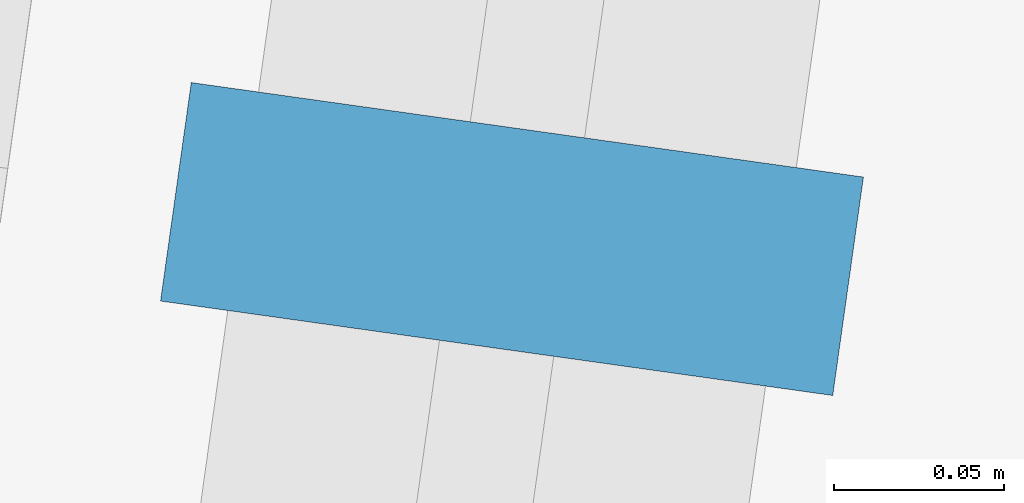
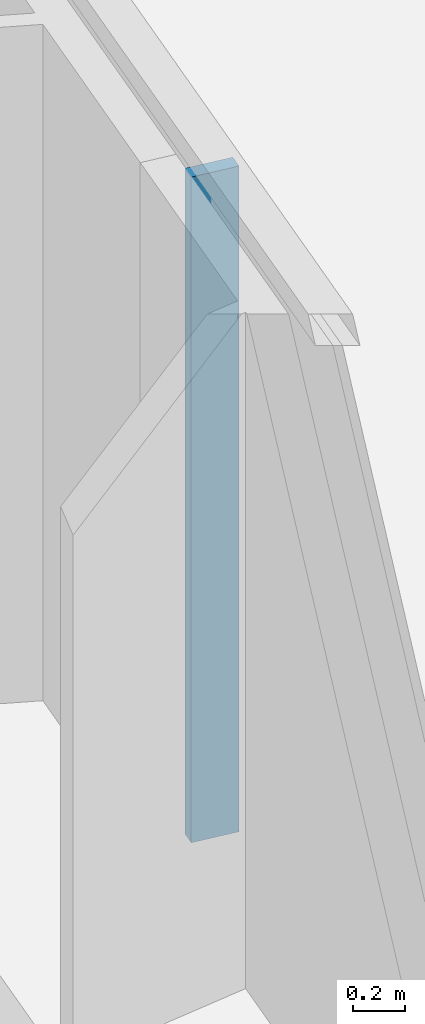
# One storey, part 4 of 26: 1 member, 1 element without a shape of its own.
"""IFC4 building model written with IfcOpenShell, lengths in metres."""

import ifcopenshell
import ifcopenshell.guid

model = None  # the IFC model being written
_history = None  # IfcOwnerHistory: only IFC2X3 demands one
_inside = {}  # id of a spatial element -> (the spatial element, [elements in it])
_under = {}  # id of a project, library or spatial element -> (it, [spatial elements below it])
_declared = {}  # id of a project -> (the project, [libraries it declares])
_typed = {}  # id of a type object -> (the type object, [elements of that type])
_made_of = {}  # id of a material, layer set ... -> (it, [elements and type objects made of it])


def new_model(schema):
    """Start an empty IFC model of exactly this schema.

    Asked for "IFC4X3", IfcOpenShell would pick the latest addendum, in which some entities
    have other attributes; the version numbers below select the first issue.
    IFC2X3 requires an IfcOwnerHistory on every rooted entity: one is made here for all.
    """
    global model, _history
    if schema == "IFC4X3":
        model = ifcopenshell.file(schema_version=(4, 3, 0, 0))
    else:
        model = ifcopenshell.file(schema=schema)
    _inside.clear()
    _under.clear()
    _declared.clear()
    _typed.clear()
    _made_of.clear()
    _history = None
    if model.schema == "IFC2X3":
        org = make("IfcOrganization", Name="unknown")
        user = make(
            "IfcPersonAndOrganization",
            ThePerson=make("IfcPerson", FamilyName="unknown"),
            TheOrganization=org,
        )
        app = make(
            "IfcApplication",
            ApplicationDeveloper=org,
            Version="unknown",
            ApplicationFullName="unknown",
            ApplicationIdentifier="unknown",
        )
        _history = make(
            "IfcOwnerHistory",
            OwningUser=user,
            OwningApplication=app,
            ChangeAction="ADDED",
            CreationDate=0,
        )
    return model


def make(cls, **values):
    """One entity of the class cls with the attributes given. An attribute that is None is left unset."""
    return model.create_entity(
        cls, **{name: value for name, value in values.items() if value is not None}
    )


def rooted(cls, **values):
    """An entity with a GlobalId (a new one), such as an element, a storey or a relation."""
    return make(cls, GlobalId=ifcopenshell.guid.new(), OwnerHistory=_history, **values)


def si_unit(unit_type, name, prefix=None):
    """IfcSIUnit, for example si_unit("LENGTHUNIT", "METRE", prefix="MILLI")."""
    return make("IfcSIUnit", UnitType=unit_type, Prefix=prefix, Name=name)


def assignment(units):
    """IfcUnitAssignment: the units of a project."""
    return None if units is None else make("IfcUnitAssignment", Units=units)


def point(xyz):
    """IfcCartesianPoint."""
    return None if xyz is None else make("IfcCartesianPoint", Coordinates=xyz)


def direction(xyz):
    """IfcDirection."""
    return None if xyz is None else make("IfcDirection", DirectionRatios=xyz)


def frame(location, z_axis=None, x_axis=None):
    """IfcAxis2Placement3D, a coordinate frame: its origin and axes. An axis left out is left unset."""
    return make(
        "IfcAxis2Placement3D",
        Location=point(location),
        Axis=direction(z_axis),
        RefDirection=direction(x_axis),
    )


def frame_2d(location, x_axis=None):
    """IfcAxis2Placement2D, a coordinate frame in the plane: its origin and x axis."""
    return make(
        "IfcAxis2Placement2D", Location=point(location), RefDirection=direction(x_axis)
    )


def origin():
    """The frame at (0, 0, 0) with its axes left unset."""
    return frame((0.0, 0.0, 0.0))


def origin_2d():
    """The frame at (0, 0) in the plane with its x axis left unset."""
    return frame_2d((0.0, 0.0))


def place(relative_to, where):
    """IfcLocalPlacement: puts the frame where relative to a parent placement (None: the world)."""
    return make(
        "IfcLocalPlacement", PlacementRelTo=relative_to, RelativePlacement=where
    )


def context(
    kind, dimensions, precision=None, world=None, true_north=None, identifier=None
):
    """IfcGeometricRepresentationContext, for example the 3D "Model" context."""
    return make(
        "IfcGeometricRepresentationContext",
        ContextIdentifier=identifier,
        ContextType=kind,
        CoordinateSpaceDimension=dimensions,
        Precision=precision,
        WorldCoordinateSystem=world,
        TrueNorth=true_north,
    )


def subcontext(parent, identifier, kind, view, scale=None):
    """IfcGeometricRepresentationSubContext, for example "Body" below "Model"."""
    return make(
        "IfcGeometricRepresentationSubContext",
        ContextIdentifier=identifier,
        ContextType=kind,
        ParentContext=parent,
        TargetScale=scale,
        TargetView=view,
    )


def project(units=None, contexts=None):
    """IfcProject with its units and contexts."""
    return rooted(
        "IfcProject",
        Name="project",
        RepresentationContexts=contexts,
        UnitsInContext=assignment(units),
    )


def spatial(cls, under=None, at=None, **own):
    """A site, building, storey or space (cls), placed at a placement, below another one or the project."""
    s = rooted(cls, ObjectPlacement=at, **own)
    if under is not None:
        _under.setdefault(under.id(), (under, []))[1].append(s)
    return s


def profile(cls, at=None, kind="AREA", **sizes):
    """A parametric profile (cls). Its sizes go by their IFC names, for example OverallWidth=200.0."""
    return make(cls, ProfileType=kind, Position=at, **sizes)


def rectangle(**sizes):
    """IfcRectangleProfileDef."""
    return profile("IfcRectangleProfileDef", **sizes)


def extrude(swept, where, along, depth):
    """IfcExtrudedAreaSolid: the profile swept, set in the frame where, extruded along a direction by depth."""
    return make(
        "IfcExtrudedAreaSolid",
        SweptArea=swept,
        Position=where,
        ExtrudedDirection=direction(along),
        Depth=depth,
    )


def shape(context_of_items, identifier, shape_type, items):
    """IfcShapeRepresentation: the items that make up one representation, for example the "Body"."""
    return make(
        "IfcShapeRepresentation",
        ContextOfItems=context_of_items,
        RepresentationIdentifier=identifier,
        RepresentationType=shape_type,
        Items=items,
    )


def material(Name=None, Category=None):
    """IfcMaterial."""
    return make("IfcMaterial", Name=Name, Category=Category)


def material_profile(
    of_material, cross_section, Name=None, Category=None, Priority=None
):
    """IfcMaterialProfile: a cross section and its material."""
    return make(
        "IfcMaterialProfile",
        Name=Name,
        Material=of_material,
        Profile=cross_section,
        Priority=Priority,
        Category=Category,
    )


def profile_set(profiles, Name=None, composite=None):
    """IfcMaterialProfileSet."""
    return make(
        "IfcMaterialProfileSet",
        Name=Name,
        MaterialProfiles=profiles,
        CompositeProfile=composite,
    )


def made_of(thing, what):
    """Note that an element or type object is made of a material, layer set ...; save() writes the relation."""
    if what is not None:
        _made_of.setdefault(what.id(), (what, []))[1].append(thing)
    return thing


def type_object(cls, material=None, **own):
    """A type object (cls), such as IfcWallType, which elements share."""
    return made_of(rooted(cls, **own), material)


def element(
    cls,
    number,
    at=None,
    inside=None,
    cuts=None,
    type_object=None,
    material=None,
    context=None,
    identifier="Body",
    shape_type=None,
    held_by="IfcProductDefinitionShape",
    body=None,
    shapes=None,
    **own,
):
    """One element of the class cls, such as IfcWall. Its Tag is "e" and its number.

    at: its placement. inside: the storey or other place that contains it. cuts: it is an
    opening in that element (IfcRelVoidsElement). A single representation is given by context,
    identifier, shape_type and body (its items); several are given by shapes. held_by: the class
    of the entity that holds the representations. save() writes the other relations.
    """
    e = rooted(cls, Tag="e%d" % number, ObjectPlacement=at, **own)
    if body is not None:
        shapes = [shape(context, identifier, shape_type, body)]
    if shapes is not None:
        e.Representation = make(held_by, Representations=shapes)
    if inside is not None:
        _inside.setdefault(inside.id(), (inside, []))[1].append(e)
    if cuts is not None:
        rooted(
            "IfcRelVoidsElement", RelatingBuildingElement=cuts, RelatedOpeningElement=e
        )
    if type_object is not None:
        _typed.setdefault(type_object.id(), (type_object, []))[1].append(e)
    return made_of(e, material)


def aggregate(whole, parts):
    """IfcRelAggregates: a whole, such as a stair, and the parts it consists of."""
    return rooted("IfcRelAggregates", RelatingObject=whole, RelatedObjects=parts)


def save(model, path):
    """Write the relations noted so far, then the file.

    IfcRelAggregates (storeys below a building ...), IfcRelContainedInSpatialStructure (elements
    in a storey), IfcRelDefinesByType, IfcRelAssociatesMaterial and IfcRelDeclares: one each for
    every whole, place, type object, material and project.
    """
    for whole, parts in _under.values():
        aggregate(whole, parts)
    for where, things in _inside.values():
        rooted(
            "IfcRelContainedInSpatialStructure",
            RelatedElements=things,
            RelatingStructure=where,
        )
    for kind, things in _typed.values():
        rooted("IfcRelDefinesByType", RelatedObjects=things, RelatingType=kind)
    for what, things in _made_of.values():
        rooted("IfcRelAssociatesMaterial", RelatedObjects=things, RelatingMaterial=what)
    for by, libraries in _declared.values():
        rooted("IfcRelDeclares", RelatingContext=by, RelatedDefinitions=libraries)
    model.write(path)


model = new_model("IFC4")

# Units and contexts
model_context = context("Model", 3, precision=1e-05, world=origin(), true_north=direction((0.0, 1.0)))
body_context = subcontext(model_context, "Body", "Model", "MODEL_VIEW")
ifc_project = project(units=[si_unit("LENGTHUNIT", "METRE"), si_unit("AREAUNIT", "SQUARE_METRE"), si_unit("VOLUMEUNIT", "CUBIC_METRE"), si_unit("PLANEANGLEUNIT", "RADIAN"), si_unit("MASSUNIT", "GRAM", prefix="KILO")], contexts=[model_context])

# Site, building, storey
site_placement = place(None, origin())
site = spatial("IfcSite", under=ifc_project, at=site_placement, CompositionType="ELEMENT")
building_placement = place(site_placement, origin())
building = spatial("IfcBuilding", under=site, at=building_placement, Name="Mirante Cascada Hotel Towers", CompositionType="ELEMENT")
storey_placement = place(building_placement, frame((0.0, 0.0, 235.6)))
storey = spatial("IfcBuildingStorey", under=building, at=storey_placement, Name="L56", CompositionType="ELEMENT", Elevation=235.6)

# Curtain wall, member
ifc_material_1 = material(Name="Aluminium mullion and transom frame with clear laminated glass", Category="aluminium")
curtain_wall_type = type_object("IfcCurtainWallType", Name="End ribbon curtain wall ECW2", PredefinedType="NOTDEFINED", material=ifc_material_1)
curtain_wall_placement = place(storey_placement, origin())
curtain_wall = element("IfcCurtainWall", 1, at=curtain_wall_placement, inside=storey, type_object=curtain_wall_type, Name="Outer end wall T1 L56", PredefinedType="NOTDEFINED")
ifc_material_2 = material(Name="Anodised aluminium extrusion", Category="aluminium")
ifc_material_profile = material_profile(ifc_material_2, rectangle(XDim=0.2, YDim=0.065, at=origin_2d()), Name="ECW2 MULLION 65x200")
ifc_profile_set = profile_set([ifc_material_profile], Name="Anodised aluminium extrusion")
member_type = type_object("IfcMemberType", Name="ECW2 mullion 65x200", PredefinedType="MULLION", material=ifc_profile_set)
member_placement = place(storey_placement, frame((-65.5011, 2.9894, 0.1), z_axis=(0.0, 0.0, 1.0), x_axis=(-0.9902681, 0.1391731, 0.0)))
member = element("IfcMember", 2, at=member_placement, type_object=member_type, Name="ECW2 mullion 4", PredefinedType="MULLION", context=body_context, shape_type="SweptSolid", body=[
    extrude(rectangle(XDim=0.2, YDim=0.065, at=origin_2d()), origin(), (0.0, 0.0, 1.0), 3.15),
])
aggregate(curtain_wall, [member])

save(model, "model.ifc")
